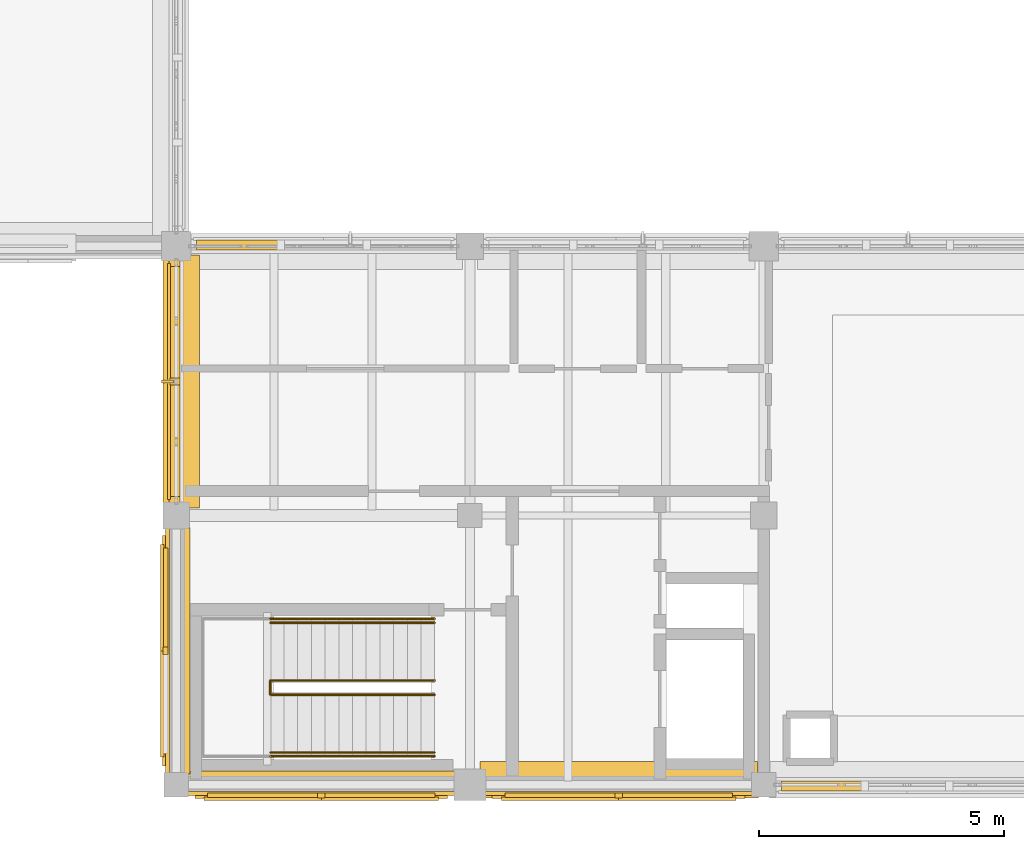
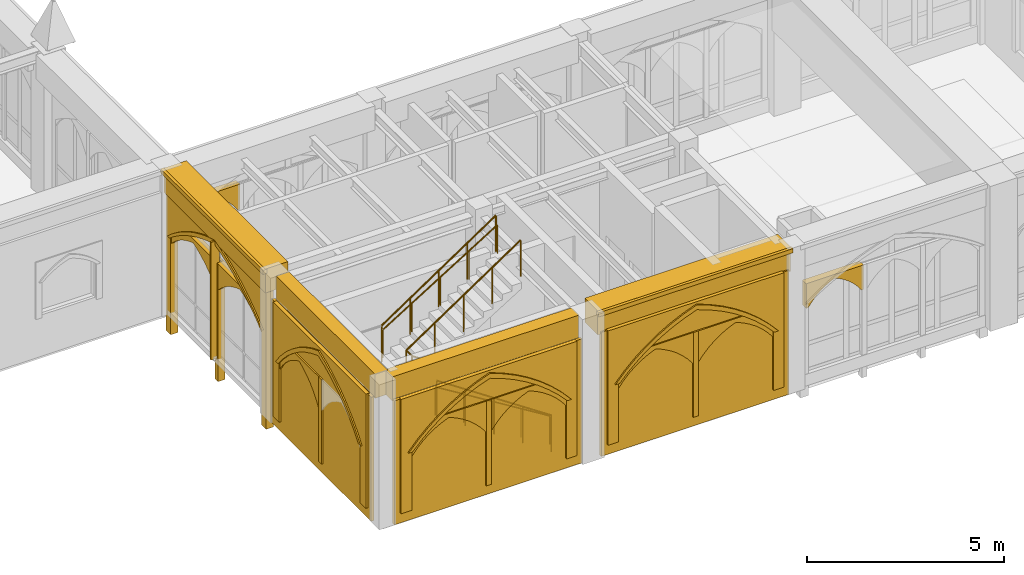
# One storey, part 89 of 127: 30 coverings, 5 railings, 1 shading device.
"""IFC4 building model written with IfcOpenShell, lengths in metres."""

from ifc_helpers import new_model, si_unit, direction, frame, origin, origin_2d, place, context, subcontext, project, spatial, polyline, rectangle, circle, outline, extrude, material, type_object, element, save


model = new_model("IFC4")

# Units and contexts
model_context = context("Model", 3, precision=1e-05, world=origin(), true_north=direction((0.0, 1.0)))
body_context = subcontext(model_context, "Body", "Model", "MODEL_VIEW")
ifc_project = project(units=[si_unit("LENGTHUNIT", "METRE"), si_unit("AREAUNIT", "SQUARE_METRE"), si_unit("VOLUMEUNIT", "CUBIC_METRE"), si_unit("PLANEANGLEUNIT", "RADIAN"), si_unit("MASSUNIT", "GRAM", prefix="KILO")], contexts=[model_context])

# Site, building, storey
site_placement = place(None, origin())
site = spatial("IfcSite", under=ifc_project, at=site_placement, CompositionType="ELEMENT")
building_placement = place(site_placement, origin())
building = spatial("IfcBuilding", under=site, at=building_placement, Name="Cumevento Cable Car Station", CompositionType="ELEMENT")
storey_placement = place(building_placement, frame((0.0, 0.0, 4.5)))
storey = spatial("IfcBuildingStorey", under=building, at=storey_placement, Name="L02", CompositionType="ELEMENT", Elevation=4.5)

# Railings
ifc_material_1 = material(Name="Painted Galvanised Architectural Steel", Category="steel")
railing_type_1 = type_object("IfcRailingType", Name="Stair Guardrail GR-S115", PredefinedType="GUARDRAIL", material=ifc_material_1)
railing_1_placement = place(storey_placement, frame((27.280029296875, 5.840087890625, 0.0)))
element("IfcRailing", 1, at=railing_1_placement, inside=storey, type_object=railing_type_1, Name="Stair Well Inner Guardrail ST-02-L02", PredefinedType="GUARDRAIL", context=body_context, shape_type="SweptSolid", body=[
    extrude(circle(Radius=0.02392578125, at=origin_2d()), frame((0.0, 0.0, 1.1259765625), z_axis=(-0.830915400975, 0.0, 0.556398774641), x_axis=(0.0, -1.0, 0.0)), (0.0, 0.0, 1.0), 4.0439453125),
    extrude(circle(Radius=0.02392578125, at=origin_2d()), frame((-3.360107421875, 0.0, 3.3759765625), z_axis=(0.0, 1.0, 0.0), x_axis=(-1.0, 0.0, 0.0)), (0.0, 0.0, 1.0), 0.289794921875),
    extrude(circle(Radius=0.02392578125, at=origin_2d()), frame((-3.360107421875, 0.289794921875, 3.3759765625), z_axis=(0.830915400975, 0.0, 0.556398774641), x_axis=(0.0, 1.0, 0.0)), (0.0, 0.0, 1.0), 4.0439453125),
    extrude(circle(Radius=0.02001953125, at=origin_2d()), origin(), (0.0, 0.0, 1.0), 1.101806640625),
    extrude(circle(Radius=0.02001953125, at=origin_2d()), frame((-0.840087890625, 0.0, 0.5625)), (0.0, 0.0, 1.0), 1.101806640625),
    extrude(circle(Radius=0.02001953125, at=origin_2d()), frame((-1.68017578125, 0.0, 1.125)), (0.0, 0.0, 1.0), 1.101806640625),
    extrude(circle(Radius=0.02001953125, at=origin_2d()), frame((-2.52001953125, 0.0, 1.6875)), (0.0, 0.0, 1.0), 1.101806640625),
    extrude(circle(Radius=0.02001953125, at=origin_2d()), frame((-3.360107421875, 0.0, 2.25)), (0.0, 0.0, 1.0), 1.101806640625),
    extrude(circle(Radius=0.02001953125, at=origin_2d()), frame((-3.360107421875, 0.289794921875, 2.25)), (0.0, 0.0, 1.0), 1.101806640625),
    extrude(circle(Radius=0.02001953125, at=origin_2d()), frame((-2.52001953125, 0.289794921875, 2.8125)), (0.0, 0.0, 1.0), 1.101806640625),
    extrude(circle(Radius=0.02001953125, at=origin_2d()), frame((-1.68017578125, 0.289794921875, 3.375)), (0.0, 0.0, 1.0), 1.101806640625),
    extrude(circle(Radius=0.02001953125, at=origin_2d()), frame((-0.840087890625, 0.289794921875, 3.9375)), (0.0, 0.0, 1.0), 1.101806640625),
    extrude(circle(Radius=0.02001953125, at=origin_2d()), frame((0.0, 0.289794921875, 4.5)), (0.0, 0.0, 1.0), 1.101806640625),
])
railing_2_placement = place(storey_placement, frame((27.280029296875, 4.580078125, 0.0)))
element("IfcRailing", 2, at=railing_2_placement, inside=storey, type_object=railing_type_1, Name="Stair Outer Guardrail ST-02-L02 F1", PredefinedType="GUARDRAIL", context=body_context, shape_type="SweptSolid", body=[
    extrude(circle(Radius=0.02392578125, at=origin_2d()), frame((0.0, 0.0, 1.1259765625), z_axis=(-0.830915400975, 0.0, 0.556398774641), x_axis=(0.0, -1.0, 0.0)), (0.0, 0.0, 1.0), 4.0439453125),
    extrude(circle(Radius=0.02001953125, at=origin_2d()), origin(), (0.0, 0.0, 1.0), 1.101806640625),
    extrude(circle(Radius=0.02001953125, at=origin_2d()), frame((-0.840087890625, 0.0, 0.5625)), (0.0, 0.0, 1.0), 1.101806640625),
    extrude(circle(Radius=0.02001953125, at=origin_2d()), frame((-1.68017578125, 0.0, 1.125)), (0.0, 0.0, 1.0), 1.101806640625),
    extrude(circle(Radius=0.02001953125, at=origin_2d()), frame((-2.52001953125, 0.0, 1.6875)), (0.0, 0.0, 1.0), 1.101806640625),
    extrude(circle(Radius=0.02001953125, at=origin_2d()), frame((-3.360107421875, 0.0, 2.25)), (0.0, 0.0, 1.0), 1.101806640625),
])
railing_3_placement = place(storey_placement, frame((23.919921875, 7.389892578125, 2.25)))
element("IfcRailing", 3, at=railing_3_placement, inside=storey, type_object=railing_type_1, Name="Stair Outer Guardrail ST-02-L02 F2", PredefinedType="GUARDRAIL", context=body_context, shape_type="SweptSolid", body=[
    extrude(circle(Radius=0.02392578125, at=origin_2d()), frame((0.0, 0.0, 1.1259765625), z_axis=(0.830915400975, 0.0, 0.556398774641), x_axis=(0.0, 1.0, 0.0)), (0.0, 0.0, 1.0), 4.0439453125),
    extrude(circle(Radius=0.02001953125, at=origin_2d()), origin(), (0.0, 0.0, 1.0), 1.101806640625),
    extrude(circle(Radius=0.02001953125, at=origin_2d()), frame((0.840087890625, 0.0, 0.5625)), (0.0, 0.0, 1.0), 1.101806640625),
    extrude(circle(Radius=0.02001953125, at=origin_2d()), frame((1.68017578125, 0.0, 1.125)), (0.0, 0.0, 1.0), 1.101806640625),
    extrude(circle(Radius=0.02001953125, at=origin_2d()), frame((2.52001953125, 0.0, 1.6875)), (0.0, 0.0, 1.0), 1.101806640625),
    extrude(circle(Radius=0.02001953125, at=origin_2d()), frame((3.360107421875, 0.0, 2.25)), (0.0, 0.0, 1.0), 1.101806640625),
])
ifc_material_2 = material(Name="Brushed Stainless Steel Handrail Tube", Category="steel")
railing_type_2 = type_object("IfcRailingType", Name="Stair Handrail HR-090", PredefinedType="HANDRAIL", material=ifc_material_2)
railing_4_placement = place(storey_placement, frame((27.280029296875, 4.659912109375, 0.17626953125)))
element("IfcRailing", 4, at=railing_4_placement, inside=storey, type_object=railing_type_2, Name="Stair Pitch Handrail ST-02-L02 F1", PredefinedType="HANDRAIL", context=body_context, shape_type="SweptSolid", body=[
    extrude(circle(Radius=0.02099609375, at=origin_2d()), frame((0.0, 0.0, 0.87890625), z_axis=(-0.850623216509, 0.0, 0.525775754039), x_axis=(0.0, -1.0, 0.0)), (0.0, 0.0, 1.0), 3.9501953125),
    extrude(circle(Radius=0.01611328125, at=origin_2d()), origin(), (0.0, 0.0, 1.0), 0.85791015625),
    extrude(circle(Radius=0.01611328125, at=origin_2d()), frame((-0.840087890625, 0.0, 0.519287109375)), (0.0, 0.0, 1.0), 0.85791015625),
    extrude(circle(Radius=0.01611328125, at=origin_2d()), frame((-1.68017578125, 0.0, 1.03857421875)), (0.0, 0.0, 1.0), 0.85791015625),
    extrude(circle(Radius=0.01611328125, at=origin_2d()), frame((-2.52001953125, 0.0, 1.5576171875)), (0.0, 0.0, 1.0), 0.85791015625),
    extrude(circle(Radius=0.01611328125, at=origin_2d()), frame((-3.360107421875, 0.0, 2.076904296875)), (0.0, 0.0, 1.0), 0.85791015625),
])
railing_5_placement = place(storey_placement, frame((23.919921875, 7.31005859375, 2.42626953125)))
element("IfcRailing", 5, at=railing_5_placement, inside=storey, type_object=railing_type_2, Name="Stair Pitch Handrail ST-02-L02 F2", PredefinedType="HANDRAIL", context=body_context, shape_type="SweptSolid", body=[
    extrude(circle(Radius=0.02099609375, at=origin_2d()), frame((0.0, 0.0, 0.87890625), z_axis=(0.850623216509, 0.0, 0.525775754039), x_axis=(0.0, 1.0, 0.0)), (0.0, 0.0, 1.0), 3.9501953125),
    extrude(circle(Radius=0.01611328125, at=origin_2d()), origin(), (0.0, 0.0, 1.0), 0.85791015625),
    extrude(circle(Radius=0.01611328125, at=origin_2d()), frame((0.840087890625, 0.0, 0.519287109375)), (0.0, 0.0, 1.0), 0.85791015625),
    extrude(circle(Radius=0.01611328125, at=origin_2d()), frame((1.68017578125, 0.0, 1.03857421875)), (0.0, 0.0, 1.0), 0.85791015625),
    extrude(circle(Radius=0.01611328125, at=origin_2d()), frame((2.52001953125, 0.0, 1.5576171875)), (0.0, 0.0, 1.0), 0.85791015625),
    extrude(circle(Radius=0.01611328125, at=origin_2d()), frame((3.360107421875, 0.0, 2.076904296875)), (0.0, 0.0, 1.0), 0.85791015625),
])

# Shading device
ifc_material_3 = material(Name="Anodised Bronze Aluminium AW-6063-T6", Category="aluminium")
shading_device_type = type_object("IfcShadingDeviceType", Name="Bronze Lancet Brise-Soleil BS-01", PredefinedType="JALOUSIE", material=ifc_material_3)
shading_device_placement = place(storey_placement, frame((21.820068359375, 12.237548828125, 0.16015625), z_axis=(0.0, 0.0, 1.0), x_axis=(0.0, 1.0, 0.0)))
element("IfcShadingDevice", 6, at=shading_device_placement, inside=storey, type_object=shading_device_type, Name="Bronze Lancet Solar Fin #17", PredefinedType="JALOUSIE", context=body_context, shape_type="SweptSolid", body=[
    extrude(rectangle(XDim=0.054931640625, YDim=0.239990234375, at=origin_2d()), origin(), (0.0, 0.0, 1.0), 3.64892578125),
])

# Coverings
ifc_material_4 = material(Name="Gnaisse Facoidal Stone Ashlar 85 MPa", Category="masonry")
covering_type = type_object("IfcCoveringType", Name="Gnaisse Ashlar Cladding CV-CL01", PredefinedType="CLADDING", material=ifc_material_4)
covering_1_placement = place(storey_placement, frame((24.96240234375, 4.090087890625, 3.7490234375), z_axis=(0.0, 0.0, 1.0), x_axis=(-1.0, 0.0, 0.0)))
element("IfcCovering", 7, at=covering_1_placement, inside=storey, type_object=covering_type, Name="Gothic Stone Spandrel Stringcourse sc:0290", PredefinedType="CLADDING", context=body_context, shape_type="SweptSolid", body=[
    extrude(rectangle(XDim=5.485107421875, YDim=0.3798828125, at=origin_2d()), origin(), (0.0, 0.0, 1.0), 0.7470703125),
])
covering_2_placement = place(storey_placement, frame((31.03759765625, 4.14990234375, 3.7490234375), z_axis=(0.0, 0.0, 1.0), x_axis=(-1.0, 0.0, 0.0)))
element("IfcCovering", 8, at=covering_2_placement, inside=storey, type_object=covering_type, Name="Gothic Stone Spandrel Stringcourse sc:0291", PredefinedType="CLADDING", context=body_context, shape_type="SweptSolid", body=[
    extrude(rectangle(XDim=5.6650390625, YDim=0.659912109375, at=origin_2d()), origin(), (0.0, 0.0, 1.0), 0.7470703125),
])
covering_3_placement = place(storey_placement, frame((31.03759765625, 3.79248046875, 4.365966796875), z_axis=(0.0, 0.0, 1.0), x_axis=(-1.0, 0.0, 0.0)))
element("IfcCovering", 9, at=covering_3_placement, inside=storey, type_object=covering_type, Name="Gothic Cornice Dripstone Lip sc:0291", PredefinedType="CLADDING", context=body_context, shape_type="SweptSolid", body=[
    extrude(rectangle(XDim=5.705078125, YDim=0.114990234375, at=origin_2d()), origin(), (0.0, 0.0, 1.0), 0.1298828125),
])
covering_4_placement = place(storey_placement, frame((22.090087890625, 6.737548828125, 3.7490234375), z_axis=(0.0, 0.0, 1.0), x_axis=(0.0, 1.0, 0.0)))
element("IfcCovering", 10, at=covering_4_placement, inside=storey, type_object=covering_type, Name="Gothic Stone Spandrel Stringcourse sc:0298", PredefinedType="CLADDING", context=body_context, shape_type="SweptSolid", body=[
    extrude(rectangle(XDim=5.034912109375, YDim=0.3798828125, at=origin_2d()), origin(), (0.0, 0.0, 1.0), 0.7470703125),
])
covering_5_placement = place(storey_placement, frame((22.14990234375, 12.237548828125, 3.7490234375), z_axis=(0.0, 0.0, 1.0), x_axis=(0.0, 1.0, 0.0)))
element("IfcCovering", 11, at=covering_5_placement, inside=storey, type_object=covering_type, Name="Gothic Stone Spandrel Stringcourse sc:0299", PredefinedType="CLADDING", context=body_context, shape_type="SweptSolid", body=[
    extrude(rectangle(XDim=5.1650390625, YDim=0.659912109375, at=origin_2d()), origin(), (0.0, 0.0, 1.0), 0.7470703125),
])
covering_6_placement = place(storey_placement, frame((21.79248046875, 12.237548828125, 4.365966796875), z_axis=(0.0, 0.0, 1.0), x_axis=(0.0, 1.0, 0.0)))
element("IfcCovering", 12, at=covering_6_placement, inside=storey, type_object=covering_type, Name="Gothic Cornice Dripstone Lip sc:0299", PredefinedType="CLADDING", context=body_context, shape_type="SweptSolid", body=[
    extrude(rectangle(XDim=5.205078125, YDim=0.114990234375, at=origin_2d()), origin(), (0.0, 0.0, 1.0), 0.1298828125),
])
covering_7_placement = place(storey_placement, frame((22.429931640625, 15.0, 2.351318359375), z_axis=(0.0, 0.0, 1.0), x_axis=(1.0, 0.0, 0.0)))
element("IfcCovering", 13, at=covering_7_placement, inside=storey, type_object=covering_type, Name="Gothic Ogival Pointed-Arch Stone Spandrel cw_ogival:0018:sub:0", PredefinedType="CLADDING", context=body_context, shape_type="SweptSolid", body=[
    extrude(outline(polyline([(-0.02001953125, 0.0), (-0.02001953125, 0.781982421875), (1.681640625, 0.781982421875), (1.681640625, 0.0), (1.62158203125, 0.0), (1.52197265625, 0.1435546875), (1.407470703125, 0.275634765625), (1.27978515625, 0.39501953125), (1.139892578125, 0.499755859375), (0.98974609375, 0.589111328125), (0.830810546875, 0.662109375), (0.671875, 0.589111328125), (0.521728515625, 0.499755859375), (0.3818359375, 0.39501953125), (0.254150390625, 0.275634765625), (0.1396484375, 0.1435546875), (0.0400390625, 0.0), (-0.02001953125, 0.0)])), frame((0.0, 0.1240234375, 0.0), z_axis=(0.0, -1.0, 0.0), x_axis=(1.0, 0.0, 0.0)), (0.0, 0.0, 1.0), 0.199951171875),
])
covering_8_placement = place(storey_placement, frame((36.0166015625, 4.0, 2.387451171875), z_axis=(0.0, 0.0, 1.0), x_axis=(-1.0, 0.0, 0.0)))
element("IfcCovering", 14, at=covering_8_placement, inside=storey, type_object=covering_type, Name="Gothic Ogival Pointed-Arch Stone Spandrel cw_ogival:0020:sub:2", PredefinedType="CLADDING", context=body_context, shape_type="SweptSolid", body=[
    extrude(outline(polyline([(-0.02001953125, 0.0), (-0.02001953125, 0.76318359375), (1.65673828125, 0.76318359375), (1.65673828125, 0.0), (1.5966796875, 0.0), (1.498046875, 0.1396484375), (1.385009765625, 0.26806640625), (1.259033203125, 0.384033203125), (1.12158203125, 0.48583984375), (0.97412109375, 0.572509765625), (0.818359375, 0.643310546875), (0.66259765625, 0.572509765625), (0.51513671875, 0.48583984375), (0.377685546875, 0.384033203125), (0.251708984375, 0.26806640625), (0.138671875, 0.1396484375), (0.0400390625, 0.0), (-0.02001953125, 0.0)])), frame((0.0, 0.1240234375, 0.0), z_axis=(0.0, -1.0, 0.0), x_axis=(1.0, 0.0, 0.0)), (0.0, 0.0, 1.0), 0.199951171875),
])
placement_1 = place(storey_placement, frame((22.0, 9.77490234375, -0.52001953125), z_axis=(0.0, 0.0, 1.0), x_axis=(0.0, 1.0, 0.0)))
element("IfcCovering", 15, at=placement_1, inside=storey, type_object=covering_type, Name="Gothic Ogival Pointed-Arch Stone Spandrel cw_ogival:0024", PredefinedType="CLADDING", context=body_context, shape_type="SweptSolid", body=[
    extrude(outline(polyline([(-0.080078125, 0.0), (-0.080078125, 4.408935546875), (5.0048828125, 4.408935546875), (5.0048828125, 0.0), (4.764892578125, 0.0), (4.764892578125, 3.015380859375), (4.509033203125, 3.218505859375), (4.2421875, 3.4072265625), (3.965576171875, 3.5810546875), (3.6796875, 3.7392578125), (3.385498046875, 3.881591796875), (3.083984375, 4.007568359375), (2.776123046875, 4.116943359375), (2.46240234375, 4.208984375), (2.14892578125, 4.116943359375), (1.841064453125, 4.007568359375), (1.53955078125, 3.881591796875), (1.245361328125, 3.7392578125), (0.95947265625, 3.5810546875), (0.682861328125, 3.4072265625), (0.416015625, 3.218505859375), (0.159912109375, 3.015380859375), (0.159912109375, 0.0), (-0.080078125, 0.0)])), frame((0.0, 0.139892578125, 0.0), z_axis=(0.0, -1.0, 0.0), x_axis=(1.0, 0.0, 0.0)), (0.0, 0.0, 1.0), 0.219970703125),
])
covering_10_placement = place(storey_placement, frame((22.0, 9.77490234375, 2.495361328125), z_axis=(0.0, 0.0, 1.0), x_axis=(0.0, 1.0, 0.0)))
element("IfcCovering", 16, at=covering_10_placement, inside=storey, type_object=covering_type, Name="Gothic Pointed Archivolt Hood Moulding cw_ogival:0024", PredefinedType="CLADDING", context=body_context, shape_type="SweptSolid", body=[
    extrude(outline(polyline([(0.159912109375, 0.0), (0.416015625, 0.203125), (0.682861328125, 0.391845703125), (0.95947265625, 0.565673828125), (1.245361328125, 0.723876953125), (1.53955078125, 0.8662109375), (1.841064453125, 0.9921875), (2.14892578125, 1.1015625), (2.46240234375, 1.193603515625), (2.776123046875, 1.1015625), (3.083984375, 0.9921875), (3.385498046875, 0.8662109375), (3.6796875, 0.723876953125), (3.965576171875, 0.565673828125), (4.2421875, 0.391845703125), (4.509033203125, 0.203125), (4.764892578125, 0.0), (4.875, 0.0), (4.61083984375, 0.225830078125), (4.333984375, 0.435791015625), (4.045654296875, 0.62939453125), (3.746337890625, 0.80615234375), (3.437255859375, 0.965087890625), (3.11962890625, 1.10595703125), (2.79443359375, 1.22802734375), (2.46240234375, 1.3310546875), (2.130615234375, 1.22802734375), (1.805419921875, 1.10595703125), (1.48779296875, 0.965087890625), (1.1787109375, 0.80615234375), (0.87939453125, 0.62939453125), (0.591064453125, 0.435791015625), (0.314208984375, 0.225830078125), (0.050048828125, 0.0), (0.159912109375, 0.0)])), frame((0.0, 0.181884765625, 0.0), z_axis=(0.0, -1.0, 0.0), x_axis=(1.0, 0.0, 0.0)), (0.0, 0.0, 1.0), 0.06689453125),
])
element("IfcCovering", 17, at=placement_1, inside=storey, type_object=covering_type, Name="Gothic Bifora Stone Colonnette cw_ogival:0024 #1", PredefinedType="CLADDING", context=body_context, shape_type="SweptSolid", body=[
    extrude(outline(polyline([(2.387451171875, -0.02001953125), (2.53759765625, -0.02001953125), (2.53759765625, 3.635986328125), (2.387451171875, 3.635986328125), (2.387451171875, -0.02001953125)])), frame((0.0, 0.1279296875, 0.0), z_axis=(0.0, -1.0, 0.0), x_axis=(1.0, 0.0, 0.0)), (0.0, 0.0, 1.0), 0.205078125),
])
for number, where, z_axis, x_axis, name in (
    (18, (22.0, 9.905029296875, 2.3154296875), (0.0, 0.0, 1.0), (0.0, 1.0, 0.0), "Gothic Ogival Pointed-Arch Stone Spandrel cw_ogival:0024:sub:0"),
    (19, (22.0, 12.282470703125, 2.3154296875), (0.0, 0.0, 1.0), (0.0, 1.0, 0.0), "Gothic Ogival Pointed-Arch Stone Spandrel cw_ogival:0024:sub:1"),
):
    element("IfcCovering", number, at=place(storey_placement, frame(where, z_axis=z_axis, x_axis=x_axis)), inside=storey, type_object=covering_type, Name=name, PredefinedType="CLADDING", context=body_context, shape_type="SweptSolid", body=[
        extrude(outline(polyline([(-0.02001953125, 0.0), (-0.02001953125, 0.80078125), (2.3076171875, 0.80078125), (2.3076171875, 0.0), (2.24755859375, 0.0), (2.08984375, 0.151123046875), (1.920166015625, 0.28857421875), (1.7392578125, 0.410888671875), (1.548583984375, 0.517578125), (1.349609375, 0.607666015625), (1.143798828125, 0.6806640625), (0.93798828125, 0.607666015625), (0.739013671875, 0.517578125), (0.54833984375, 0.410888671875), (0.367431640625, 0.28857421875), (0.19775390625, 0.151123046875), (0.0400390625, 0.0), (-0.02001953125, 0.0)])), frame((0.0, 0.1240234375, 0.0), z_axis=(0.0, -1.0, 0.0), x_axis=(1.0, 0.0, 0.0)), (0.0, 0.0, 1.0), 0.199951171875),
    ])
covering_12_placement = place(storey_placement, frame((27.675048828125, 4.0, 0.0), z_axis=(0.0, 0.0, 1.0), x_axis=(-1.0, 0.0, 0.0)))
element("IfcCovering", 20, at=covering_12_placement, inside=storey, type_object=covering_type, Name="Exterior Gnaisse Stone Wall Ashlar #173", PredefinedType="CLADDING", context=body_context, shape_type="SweptSolid", body=[
    extrude(outline(polyline([(-0.0400390625, -0.02001953125), (5.465087890625, -0.02001953125), (5.465087890625, 3.8291015625), (-0.0400390625, 3.8291015625), (-0.0400390625, -0.02001953125)])), frame((0.0, 0.222412109375, 0.0), z_axis=(0.0, -1.0, 0.0), x_axis=(1.0, 0.0, 0.0)), (0.0, 0.0, 1.0), 0.0849609375),
])
placement_2 = place(storey_placement, frame((27.4951171875, 4.0, 0.300048828125), z_axis=(0.0, 0.0, 1.0), x_axis=(-1.0, 0.0, 0.0)))
element("IfcCovering", 21, at=placement_2, inside=storey, type_object=covering_type, Name="Gothic Ogival Pointed-Arch Stone Spandrel blind_ogival:0173", PredefinedType="CLADDING", context=body_context, shape_type="SweptSolid", body=[
    extrude(outline(polyline([(-0.050048828125, 0.0), (-0.050048828125, 3.549072265625), (5.114990234375, 3.549072265625), (5.114990234375, 0.0), (4.804931640625, 0.0), (4.804931640625, 1.8330078125), (4.5341796875, 2.118408203125), (4.24267578125, 2.382080078125), (3.931640625, 2.622802734375), (3.60302734375, 2.839111328125), (3.259033203125, 3.029541015625), (2.901611328125, 3.193115234375), (2.532470703125, 3.3291015625), (2.163330078125, 3.193115234375), (1.805908203125, 3.029541015625), (1.4619140625, 2.839111328125), (1.13330078125, 2.622802734375), (0.822265625, 2.382080078125), (0.53076171875, 2.118408203125), (0.260009765625, 1.8330078125), (0.260009765625, 0.0), (-0.050048828125, 0.0)])), frame((0.0, 0.277587890625, 0.0), z_axis=(0.0, -1.0, 0.0), x_axis=(1.0, 0.0, 0.0)), (0.0, 0.0, 1.0), 0.110107421875),
])
covering_14_placement = place(storey_placement, frame((27.4951171875, 4.0, 2.133056640625), z_axis=(0.0, 0.0, 1.0), x_axis=(-1.0, 0.0, 0.0)))
element("IfcCovering", 22, at=covering_14_placement, inside=storey, type_object=covering_type, Name="Gothic Pointed Archivolt Hood Moulding blind_ogival:0173", PredefinedType="CLADDING", context=body_context, shape_type="SweptSolid", body=[
    extrude(outline(polyline([(0.260009765625, 0.0), (0.53076171875, 0.285400390625), (0.822265625, 0.549072265625), (1.13330078125, 0.789794921875), (1.4619140625, 1.006103515625), (1.805908203125, 1.196533203125), (2.163330078125, 1.360107421875), (2.532470703125, 1.49609375), (2.901611328125, 1.360107421875), (3.259033203125, 1.196533203125), (3.60302734375, 1.006103515625), (3.931640625, 0.789794921875), (4.24267578125, 0.549072265625), (4.5341796875, 0.285400390625), (4.804931640625, 0.0), (4.926025390625, 0.0), (4.6455078125, 0.313232421875), (4.34130859375, 0.60302734375), (4.014892578125, 0.867919921875), (3.668701171875, 1.1064453125), (3.3046875, 1.31640625), (2.925048828125, 1.4970703125), (2.532470703125, 1.647216796875), (2.139892578125, 1.4970703125), (1.76025390625, 1.31640625), (1.396240234375, 1.1064453125), (1.050048828125, 0.867919921875), (0.7236328125, 0.60302734375), (0.41943359375, 0.313232421875), (0.138916015625, 0.0), (0.260009765625, 0.0)])), frame((0.0, 0.319580078125, 0.0), z_axis=(0.0, -1.0, 0.0), x_axis=(1.0, 0.0, 0.0)), (0.0, 0.0, 1.0), 0.06689453125),
])
element("IfcCovering", 23, at=placement_2, inside=storey, type_object=covering_type, Name="Gothic Bifora Stone Colonnette blind_ogival:0173 #1", PredefinedType="CLADDING", context=body_context, shape_type="SweptSolid", body=[
    extrude(outline(polyline([(2.45751953125, -0.02001953125), (2.607421875, -0.02001953125), (2.607421875, 2.61083984375), (2.45751953125, 2.61083984375), (2.45751953125, -0.02001953125)])), frame((0.0, 0.265380859375, 0.0), z_axis=(0.0, -1.0, 0.0), x_axis=(1.0, 0.0, 0.0)), (0.0, 0.0, 1.0), 0.094970703125),
])
for number, where, z_axis, x_axis, name in (
    (24, (27.264892578125, 4.0, 1.952880859375), (0.0, 0.0, 1.0), (-1.0, 0.0, 0.0), "Gothic Ogival Pointed-Arch Stone Spandrel blind_ogival:0173:sub:0"),
    (25, (24.91748046875, 4.0, 1.952880859375), (0.0, 0.0, 1.0), (-1.0, 0.0, 0.0), "Gothic Ogival Pointed-Arch Stone Spandrel blind_ogival:0173:sub:1"),
):
    element("IfcCovering", number, at=place(storey_placement, frame(where, z_axis=z_axis, x_axis=x_axis)), inside=storey, type_object=covering_type, Name=name, PredefinedType="CLADDING", context=body_context, shape_type="SweptSolid", body=[
        extrude(outline(polyline([(-0.02001953125, 0.0), (-0.02001953125, 0.9580078125), (2.277587890625, 0.9580078125), (2.277587890625, 0.0), (2.217529296875, 0.0), (2.074462890625, 0.18310546875), (1.91357421875, 0.350830078125), (1.73681640625, 0.501708984375), (1.5458984375, 0.634033203125), (1.342529296875, 0.746337890625), (1.128662109375, 0.837890625), (0.9150390625, 0.746337890625), (0.711669921875, 0.634033203125), (0.520751953125, 0.501708984375), (0.343994140625, 0.350830078125), (0.18310546875, 0.18310546875), (0.0400390625, 0.0), (-0.02001953125, 0.0)])), frame((0.0, 0.261474609375, 0.0), z_axis=(0.0, -1.0, 0.0), x_axis=(1.0, 0.0, 0.0)), (0.0, 0.0, 1.0), 0.090087890625),
    ])
covering_16_placement = place(storey_placement, frame((33.75, 4.0, 0.0), z_axis=(0.0, 0.0, 1.0), x_axis=(-1.0, 0.0, 0.0)))
element("IfcCovering", 26, at=covering_16_placement, inside=storey, type_object=covering_type, Name="Exterior Gnaisse Stone Wall Ashlar #174", PredefinedType="CLADDING", context=body_context, shape_type="SweptSolid", body=[
    extrude(outline(polyline([(-0.0400390625, -0.02001953125), (5.465087890625, -0.02001953125), (5.465087890625, 3.8291015625), (-0.0400390625, 3.8291015625), (-0.0400390625, -0.02001953125)])), frame((0.0, 0.222412109375, 0.0), z_axis=(0.0, -1.0, 0.0), x_axis=(1.0, 0.0, 0.0)), (0.0, 0.0, 1.0), 0.0849609375),
])
placement_3 = place(storey_placement, frame((33.570068359375, 4.0, 0.300048828125), z_axis=(0.0, 0.0, 1.0), x_axis=(-1.0, 0.0, 0.0)))
element("IfcCovering", 27, at=placement_3, inside=storey, type_object=covering_type, Name="Gothic Ogival Pointed-Arch Stone Spandrel blind_ogival:0174", PredefinedType="CLADDING", context=body_context, shape_type="SweptSolid", body=[
    extrude(outline(polyline([(-0.050048828125, 0.0), (-0.050048828125, 3.549072265625), (5.114990234375, 3.549072265625), (5.114990234375, 0.0), (4.804931640625, 0.0), (4.804931640625, 1.8330078125), (4.5341796875, 2.118408203125), (4.24267578125, 2.382080078125), (3.931640625, 2.622802734375), (3.60302734375, 2.839111328125), (3.259033203125, 3.029541015625), (2.901611328125, 3.193115234375), (2.532470703125, 3.3291015625), (2.163330078125, 3.193115234375), (1.805908203125, 3.029541015625), (1.4619140625, 2.839111328125), (1.13330078125, 2.622802734375), (0.822265625, 2.382080078125), (0.53076171875, 2.118408203125), (0.260009765625, 1.8330078125), (0.260009765625, 0.0), (-0.050048828125, 0.0)])), frame((0.0, 0.277587890625, 0.0), z_axis=(0.0, -1.0, 0.0), x_axis=(1.0, 0.0, 0.0)), (0.0, 0.0, 1.0), 0.110107421875),
])
covering_18_placement = place(storey_placement, frame((33.570068359375, 4.0, 2.133056640625), z_axis=(0.0, 0.0, 1.0), x_axis=(-1.0, 0.0, 0.0)))
element("IfcCovering", 28, at=covering_18_placement, inside=storey, type_object=covering_type, Name="Gothic Pointed Archivolt Hood Moulding blind_ogival:0174", PredefinedType="CLADDING", context=body_context, shape_type="SweptSolid", body=[
    extrude(outline(polyline([(0.260009765625, 0.0), (0.53076171875, 0.285400390625), (0.822265625, 0.549072265625), (1.13330078125, 0.789794921875), (1.4619140625, 1.006103515625), (1.805908203125, 1.196533203125), (2.163330078125, 1.360107421875), (2.532470703125, 1.49609375), (2.901611328125, 1.360107421875), (3.259033203125, 1.196533203125), (3.60302734375, 1.006103515625), (3.931640625, 0.789794921875), (4.24267578125, 0.549072265625), (4.5341796875, 0.285400390625), (4.804931640625, 0.0), (4.926025390625, 0.0), (4.6455078125, 0.313232421875), (4.34130859375, 0.60302734375), (4.014892578125, 0.867919921875), (3.668701171875, 1.1064453125), (3.3046875, 1.31640625), (2.925048828125, 1.4970703125), (2.532470703125, 1.647216796875), (2.139892578125, 1.4970703125), (1.76025390625, 1.31640625), (1.396240234375, 1.1064453125), (1.050048828125, 0.867919921875), (0.7236328125, 0.60302734375), (0.41943359375, 0.313232421875), (0.138916015625, 0.0), (0.260009765625, 0.0)])), frame((0.0, 0.319580078125, 0.0), z_axis=(0.0, -1.0, 0.0), x_axis=(1.0, 0.0, 0.0)), (0.0, 0.0, 1.0), 0.06689453125),
])
element("IfcCovering", 29, at=placement_3, inside=storey, type_object=covering_type, Name="Gothic Bifora Stone Colonnette blind_ogival:0174 #1", PredefinedType="CLADDING", context=body_context, shape_type="SweptSolid", body=[
    extrude(outline(polyline([(2.45751953125, -0.02001953125), (2.607421875, -0.02001953125), (2.607421875, 2.61083984375), (2.45751953125, 2.61083984375), (2.45751953125, -0.02001953125)])), frame((0.0, 0.265380859375, 0.0), z_axis=(0.0, -1.0, 0.0), x_axis=(1.0, 0.0, 0.0)), (0.0, 0.0, 1.0), 0.094970703125),
])
for number, where, z_axis, x_axis, name in (
    (30, (33.340087890625, 4.0, 1.952880859375), (0.0, 0.0, 1.0), (-1.0, 0.0, 0.0), "Gothic Ogival Pointed-Arch Stone Spandrel blind_ogival:0174:sub:0"),
    (31, (30.992431640625, 4.0, 1.952880859375), (0.0, 0.0, 1.0), (-1.0, 0.0, 0.0), "Gothic Ogival Pointed-Arch Stone Spandrel blind_ogival:0174:sub:1"),
):
    element("IfcCovering", number, at=place(storey_placement, frame(where, z_axis=z_axis, x_axis=x_axis)), inside=storey, type_object=covering_type, Name=name, PredefinedType="CLADDING", context=body_context, shape_type="SweptSolid", body=[
        extrude(outline(polyline([(-0.02001953125, 0.0), (-0.02001953125, 0.9580078125), (2.277587890625, 0.9580078125), (2.277587890625, 0.0), (2.217529296875, 0.0), (2.074462890625, 0.18310546875), (1.91357421875, 0.350830078125), (1.73681640625, 0.501708984375), (1.5458984375, 0.634033203125), (1.342529296875, 0.746337890625), (1.128662109375, 0.837890625), (0.9150390625, 0.746337890625), (0.711669921875, 0.634033203125), (0.520751953125, 0.501708984375), (0.343994140625, 0.350830078125), (0.18310546875, 0.18310546875), (0.0400390625, 0.0), (-0.02001953125, 0.0)])), frame((0.0, 0.261474609375, 0.0), z_axis=(0.0, -1.0, 0.0), x_axis=(1.0, 0.0, 0.0)), (0.0, 0.0, 1.0), 0.090087890625),
    ])
covering_20_placement = place(storey_placement, frame((22.0, 4.25, 0.0), z_axis=(0.0, 0.0, 1.0), x_axis=(0.0, 1.0, 0.0)))
element("IfcCovering", 32, at=covering_20_placement, inside=storey, type_object=covering_type, Name="Exterior Gnaisse Stone Wall Ashlar #175", PredefinedType="CLADDING", context=body_context, shape_type="SweptSolid", body=[
    extrude(outline(polyline([(-0.0400390625, -0.02001953125), (5.014892578125, -0.02001953125), (5.014892578125, 3.8291015625), (-0.0400390625, 3.8291015625), (-0.0400390625, -0.02001953125)])), frame((0.0, 0.222412109375, 0.0), z_axis=(0.0, -1.0, 0.0), x_axis=(1.0, 0.0, 0.0)), (0.0, 0.0, 1.0), 0.0849609375),
])
placement_4 = place(storey_placement, frame((22.0, 4.429931640625, 0.300048828125), z_axis=(0.0, 0.0, 1.0), x_axis=(0.0, 1.0, 0.0)))
element("IfcCovering", 33, at=placement_4, inside=storey, type_object=covering_type, Name="Gothic Ogival Pointed-Arch Stone Spandrel blind_ogival:0175", PredefinedType="CLADDING", context=body_context, shape_type="SweptSolid", body=[
    extrude(outline(polyline([(-0.050048828125, 0.0), (-0.050048828125, 3.549072265625), (4.6650390625, 3.549072265625), (4.6650390625, 0.0), (4.35498046875, 0.0), (4.35498046875, 1.8330078125), (4.120849609375, 2.115966796875), (3.8642578125, 2.378662109375), (3.586669921875, 2.619140625), (3.2900390625, 2.8359375), (2.9765625, 3.02734375), (2.648193359375, 3.192138671875), (2.3076171875, 3.3291015625), (1.966796875, 3.192138671875), (1.638427734375, 3.02734375), (1.324951171875, 2.8359375), (1.0283203125, 2.619140625), (0.750732421875, 2.378662109375), (0.494140625, 2.115966796875), (0.260009765625, 1.8330078125), (0.260009765625, 0.0), (-0.050048828125, 0.0)])), frame((0.0, 0.277587890625, 0.0), z_axis=(0.0, -1.0, 0.0), x_axis=(1.0, 0.0, 0.0)), (0.0, 0.0, 1.0), 0.110107421875),
])
covering_22_placement = place(storey_placement, frame((22.0, 4.429931640625, 2.133056640625), z_axis=(0.0, 0.0, 1.0), x_axis=(0.0, 1.0, 0.0)))
element("IfcCovering", 34, at=covering_22_placement, inside=storey, type_object=covering_type, Name="Gothic Pointed Archivolt Hood Moulding blind_ogival:0175", PredefinedType="CLADDING", context=body_context, shape_type="SweptSolid", body=[
    extrude(outline(polyline([(0.260009765625, 0.0), (0.494140625, 0.282958984375), (0.750732421875, 0.545654296875), (1.0283203125, 0.7861328125), (1.324951171875, 1.0029296875), (1.638427734375, 1.1943359375), (1.966796875, 1.359130859375), (2.3076171875, 1.49609375), (2.648193359375, 1.359130859375), (2.9765625, 1.1943359375), (3.2900390625, 1.0029296875), (3.586669921875, 0.7861328125), (3.8642578125, 0.545654296875), (4.120849609375, 0.282958984375), (4.35498046875, 0.0), (4.47607421875, 0.0), (4.232421875, 0.310546875), (3.963134765625, 0.599365234375), (3.67041015625, 0.864013671875), (3.35595703125, 1.102783203125), (3.0224609375, 1.31396484375), (2.672119140625, 1.495849609375), (2.3076171875, 1.647216796875), (1.94287109375, 1.495849609375), (1.592529296875, 1.31396484375), (1.259033203125, 1.102783203125), (0.944580078125, 0.864013671875), (0.65185546875, 0.599365234375), (0.382568359375, 0.310546875), (0.138916015625, 0.0), (0.260009765625, 0.0)])), frame((0.0, 0.319580078125, 0.0), z_axis=(0.0, -1.0, 0.0), x_axis=(1.0, 0.0, 0.0)), (0.0, 0.0, 1.0), 0.06689453125),
])
element("IfcCovering", 35, at=placement_4, inside=storey, type_object=covering_type, Name="Gothic Bifora Stone Colonnette blind_ogival:0175 #1", PredefinedType="CLADDING", context=body_context, shape_type="SweptSolid", body=[
    extrude(outline(polyline([(2.232421875, -0.02001953125), (2.382568359375, -0.02001953125), (2.382568359375, 2.61083984375), (2.232421875, 2.61083984375), (2.232421875, -0.02001953125)])), frame((0.0, 0.265380859375, 0.0), z_axis=(0.0, -1.0, 0.0), x_axis=(1.0, 0.0, 0.0)), (0.0, 0.0, 1.0), 0.094970703125),
])
covering_24_placement = place(storey_placement, frame((22.0, 6.782470703125, 1.952880859375), z_axis=(0.0, 0.0, 1.0), x_axis=(0.0, 1.0, 0.0)))
element("IfcCovering", 36, at=covering_24_placement, inside=storey, type_object=covering_type, Name="Gothic Ogival Pointed-Arch Stone Spandrel blind_ogival:0175:sub:1", PredefinedType="CLADDING", context=body_context, shape_type="SweptSolid", body=[
    extrude(outline(polyline([(-0.02001953125, 0.0), (-0.02001953125, 0.9580078125), (2.052490234375, 0.9580078125), (2.052490234375, 0.0), (1.992431640625, 0.0), (1.87109375, 0.181396484375), (1.73095703125, 0.348388671875), (1.5732421875, 0.499267578125), (1.400390625, 0.632080078125), (1.2138671875, 0.74560546875), (1.016357421875, 0.837890625), (0.818603515625, 0.74560546875), (0.632080078125, 0.632080078125), (0.459228515625, 0.499267578125), (0.301513671875, 0.348388671875), (0.161376953125, 0.181396484375), (0.0400390625, 0.0), (-0.02001953125, 0.0)])), frame((0.0, 0.261474609375, 0.0), z_axis=(0.0, -1.0, 0.0), x_axis=(1.0, 0.0, 0.0)), (0.0, 0.0, 1.0), 0.090087890625),
])

save(model, "model.ifc")
